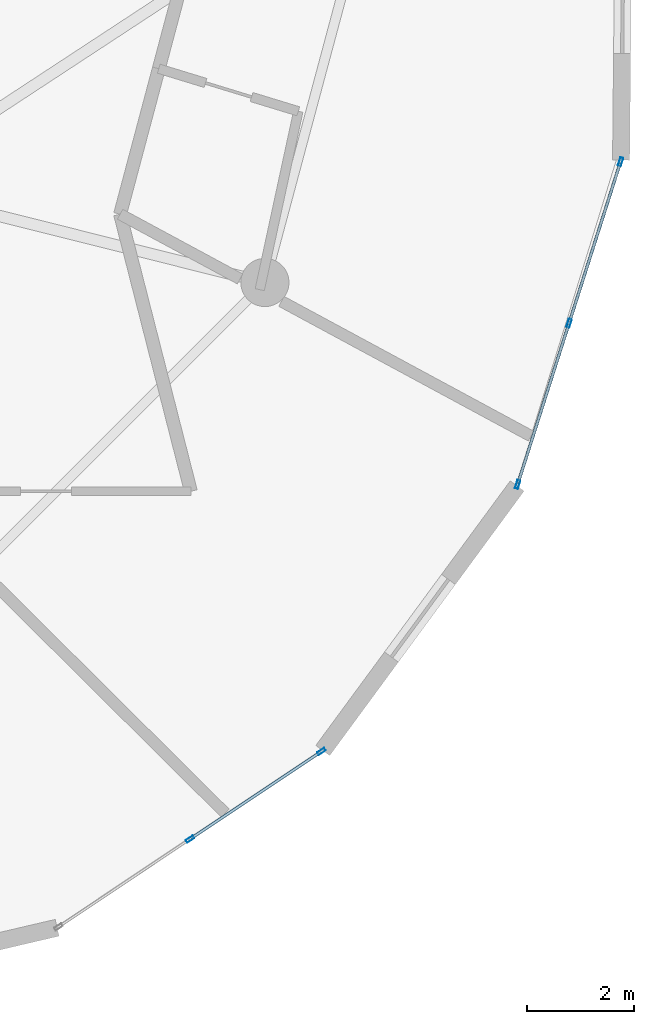
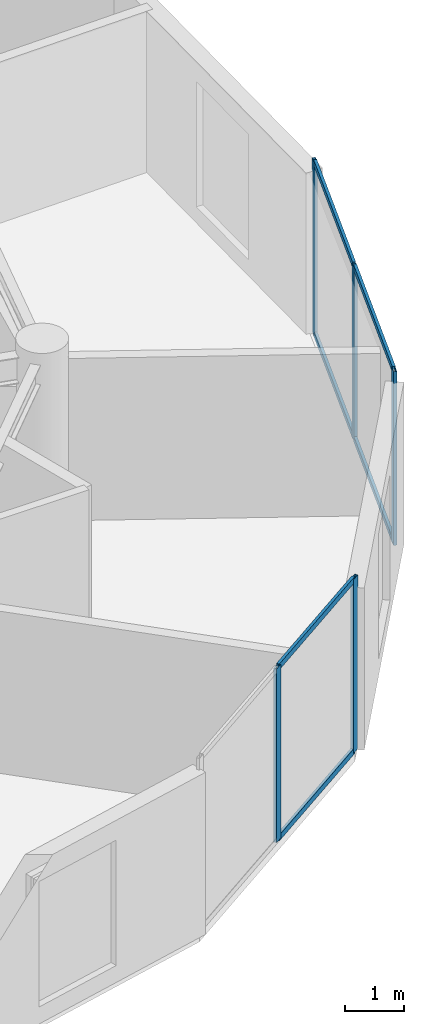
# One storey, part 8 of 20: 11 members, 2 elements without a shape of their own.
"""IFC4 building model written with IfcOpenShell, lengths in metres."""

from ifc_helpers import new_model, si_unit, direction, frame, origin, origin_2d, place, context, subcontext, project, spatial, hollow_rectangle, extrude, source, transform, mapped, material, layer, layer_set, material_profile, profile_set, type_object, element, aggregate, save


model = new_model("IFC4")

# Units and contexts
model_context = context("Model", 3, precision=1e-05, world=origin(), true_north=direction((0.0, 1.0)))
body_context = subcontext(model_context, "Body", "Model", "MODEL_VIEW")
ifc_project = project(units=[si_unit("LENGTHUNIT", "METRE"), si_unit("AREAUNIT", "SQUARE_METRE"), si_unit("VOLUMEUNIT", "CUBIC_METRE"), si_unit("PLANEANGLEUNIT", "RADIAN"), si_unit("MASSUNIT", "GRAM", prefix="KILO")], contexts=[model_context])

# Site, building, storey
site_placement = place(None, origin())
site = spatial("IfcSite", under=ifc_project, at=site_placement, CompositionType="ELEMENT")
building_placement = place(site_placement, origin())
building = spatial("IfcBuilding", under=site, at=building_placement, Name="Solvirekh Grand Hotel", CompositionType="ELEMENT")
storey_placement = place(building_placement, frame((0.0, 0.0, 209.199951171875)))
storey = spatial("IfcBuildingStorey", under=building, at=storey_placement, Name="L54", CompositionType="ELEMENT", Elevation=209.199951171875)

# Curtain wall, members
ifc_material = material(Name="Anodized Bronze Aluminium 6063-T6", Category="aluminium")
ifc_layer = layer(ifc_material, 0.159912109375)
ifc_layer_set = layer_set([ifc_layer], Name="Anodized Bronze Aluminium 6063-T6")
curtain_wall_type = type_object("IfcCurtainWallType", Name="CW_Sys4_HighZoneFlushBronzeCW", PredefinedType="NOTDEFINED", material=ifc_layer_set)
curtain_wall_1_placement = place(storey_placement, origin())
curtain_wall_1 = element("IfcCurtainWall", 1, at=curtain_wall_1_placement, inside=storey, type_object=curtain_wall_type, Name="L54 unitised bronze-glass curtain wall CW-L54-C01", PredefinedType="NOTDEFINED")
ifc_material_profile_1 = material_profile(ifc_material, hollow_rectangle(XDim=0.06005859375, YDim=0.159912109375, WallThickness=0.0048828125, at=origin_2d()), Name="ALU RHS 160X60X5")
ifc_profile_set_1 = profile_set([ifc_material_profile_1], Name="Anodized Bronze Aluminium 6063-T6")
member_type_1 = type_object("IfcMemberType", Name="CWMullion_Sys4", PredefinedType="MULLION", material=ifc_profile_set_1)
shared_shape_1 = source(origin(), body_context, "Body", "SweptSolid", [
    extrude(hollow_rectangle(XDim=0.06005859375, YDim=0.159912109375, WallThickness=0.0048828125, at=origin_2d()), origin(), (0.0, 0.0, 1.0), 3.60009765625),
])
member_1_placement = place(storey_placement, frame((12.283447265625, -18.299072265625, 0.0), z_axis=(0.0, 0.0, 1.0), x_axis=(-0.555086902533, 0.83179236029, 0.0)))
member_1 = element("IfcMember", 2, at=member_1_placement, type_object=member_type_1, Name="U04 mullion 2", PredefinedType="MULLION", context=body_context, shape_type="MappedRepresentation", body=[
    mapped(shared_shape_1, transform((0.0, 0.0, 0.0), x_axis=(1.0, 0.0, 0.0), y_axis=(0.0, 1.0, 0.0), z_axis=(0.0, 0.0, 1.0), scale=1.0)),
])
member_2_placement = place(storey_placement, frame((14.739990234375, -16.65966796875, 0.0), z_axis=(0.0, 0.0, 1.0), x_axis=(-0.555086902533, 0.83179236029, 0.0)))
member_2 = element("IfcMember", 3, at=member_2_placement, type_object=member_type_1, Name="U04 mullion 3", PredefinedType="MULLION", context=body_context, shape_type="MappedRepresentation", body=[
    mapped(shared_shape_1, transform((0.0, 0.0, 0.0), x_axis=(1.0, 0.0, 0.0), y_axis=(0.0, 1.0, 0.0), z_axis=(0.0, 0.0, 1.0), scale=1.0)),
])

curtain_wall_2_placement = place(storey_placement, origin())
curtain_wall_2 = element("IfcCurtainWall", 4, at=curtain_wall_2_placement, inside=storey, type_object=curtain_wall_type, Name="L54 unitised bronze-glass curtain wall CW-L54-C03", PredefinedType="NOTDEFINED")
member_3_placement = place(storey_placement, frame((18.405029296875, -11.67333984375, 0.0), z_axis=(0.0, 0.0, 1.0), x_axis=(-0.952689107237, 0.303946483698, 0.0)))
member_3 = element("IfcMember", 5, at=member_3_placement, type_object=member_type_1, Name="U04 mullion 1", PredefinedType="MULLION", context=body_context, shape_type="MappedRepresentation", body=[
    mapped(shared_shape_1, transform((0.0, 0.0, 0.0), x_axis=(1.0, 0.0, 0.0), y_axis=(0.0, 1.0, 0.0), z_axis=(0.0, 0.0, 1.0), scale=1.0)),
])
member_4_placement = place(storey_placement, frame((19.366943359375, -8.658447265625, 0.0), z_axis=(0.0, 0.0, 1.0), x_axis=(-0.952689107237, 0.303946483698, 0.0)))
member_4 = element("IfcMember", 6, at=member_4_placement, type_object=member_type_1, Name="U04 mullion 2", PredefinedType="MULLION", context=body_context, shape_type="MappedRepresentation", body=[
    mapped(shared_shape_1, transform((0.0, 0.0, 0.0), x_axis=(1.0, 0.0, 0.0), y_axis=(0.0, 1.0, 0.0), z_axis=(0.0, 0.0, 1.0), scale=1.0)),
])
member_5_placement = place(storey_placement, frame((20.328857421875, -5.6435546875, 0.0), z_axis=(0.0, 0.0, 1.0), x_axis=(-0.952689107237, 0.303946483698, 0.0)))
member_5 = element("IfcMember", 7, at=member_5_placement, type_object=member_type_1, Name="U04 mullion 3", PredefinedType="MULLION", context=body_context, shape_type="MappedRepresentation", body=[
    mapped(shared_shape_1, transform((0.0, 0.0, 0.0), x_axis=(1.0, 0.0, 0.0), y_axis=(0.0, 1.0, 0.0), z_axis=(0.0, 0.0, 1.0), scale=1.0)),
])

# Member
ifc_material_profile_2 = material_profile(ifc_material, hollow_rectangle(XDim=0.054931640625, YDim=0.1201171875, WallThickness=0.00390625, at=origin_2d()), Name="ALU RHS 120X55X4")
ifc_profile_set_2 = profile_set([ifc_material_profile_2], Name="Anodized Bronze Aluminium 6063-T6")
member_type_2 = type_object("IfcMemberType", Name="CWTransom_Sys4", PredefinedType="USERDEFINED", material=ifc_profile_set_2)
shared_shape_2 = source(origin(), body_context, "Body", "SweptSolid", [
    extrude(hollow_rectangle(XDim=0.054931640625, YDim=0.1201171875, WallThickness=0.00390625, at=origin_2d()), origin(), (0.0, 0.0, 1.0), 2.893310546875),
])
member_6_placement = place(storey_placement, frame((12.308349609375, -18.2822265625, 0.027587890625), z_axis=(0.831816553239, 0.555050647921, 0.0), x_axis=(-0.555050647921, 0.831816553239, 0.0)))
member_6 = element("IfcMember", 8, at=member_6_placement, type_object=member_type_2, Name="U04 transom 2.1", ObjectType="TRANSOM", PredefinedType="USERDEFINED", context=body_context, shape_type="MappedRepresentation", body=[
    mapped(shared_shape_2, transform((0.0, 0.0, 0.0), x_axis=(1.0, 0.0, 0.0), y_axis=(0.0, 1.0, 0.0), z_axis=(0.0, 0.0, 1.0), scale=1.0)),
])

member_7_placement = place(storey_placement, frame((12.308349609375, -18.2822265625, 3.572509765625), z_axis=(0.831816553239, 0.555050647921, 0.0), x_axis=(-0.555050647921, 0.831816553239, 0.0)))
member_7 = element("IfcMember", 9, at=member_7_placement, type_object=member_type_2, Name="U04 transom 2.2", ObjectType="TRANSOM", PredefinedType="USERDEFINED", context=body_context, shape_type="MappedRepresentation", body=[
    mapped(shared_shape_2, transform((0.0, 0.0, 0.0), x_axis=(1.0, 0.0, 0.0), y_axis=(0.0, 1.0, 0.0), z_axis=(0.0, 0.0, 1.0), scale=1.0)),
])

aggregate(curtain_wall_1, [member_1, member_2, member_6, member_7])

shared_shape_3 = source(origin(), body_context, "Body", "SweptSolid", [
    extrude(hollow_rectangle(XDim=0.054931640625, YDim=0.1201171875, WallThickness=0.00390625, at=origin_2d()), origin(), (0.0, 0.0, 1.0), 3.104736328125),
])
member_8_placement = place(storey_placement, frame((18.414306640625, -11.644775390625, 0.027587890625), z_axis=(0.303933878834, 0.952693128608, 0.0), x_axis=(-0.952693128608, 0.303933878834, 0.0)))
member_8 = element("IfcMember", 10, at=member_8_placement, type_object=member_type_2, Name="U04 transom 1.1", ObjectType="TRANSOM", PredefinedType="USERDEFINED", context=body_context, shape_type="MappedRepresentation", body=[
    mapped(shared_shape_3, transform((0.0, 0.0, 0.0), x_axis=(1.0, 0.0, 0.0), y_axis=(0.0, 1.0, 0.0), z_axis=(0.0, 0.0, 1.0), scale=1.0)),
])

member_9_placement = place(storey_placement, frame((18.414306640625, -11.644775390625, 3.572509765625), z_axis=(0.303933878834, 0.952693128608, 0.0), x_axis=(-0.952693128608, 0.303933878834, 0.0)))
member_9 = element("IfcMember", 11, at=member_9_placement, type_object=member_type_2, Name="U04 transom 1.2", ObjectType="TRANSOM", PredefinedType="USERDEFINED", context=body_context, shape_type="MappedRepresentation", body=[
    mapped(shared_shape_3, transform((0.0, 0.0, 0.0), x_axis=(1.0, 0.0, 0.0), y_axis=(0.0, 1.0, 0.0), z_axis=(0.0, 0.0, 1.0), scale=1.0)),
])

member_10_placement = place(storey_placement, frame((19.376220703125, -8.6298828125, 0.027587890625), z_axis=(0.303933878834, 0.952693128608, 0.0), x_axis=(-0.952693128608, 0.303933878834, 0.0)))
member_10 = element("IfcMember", 12, at=member_10_placement, type_object=member_type_2, Name="U04 transom 2.1", ObjectType="TRANSOM", PredefinedType="USERDEFINED", context=body_context, shape_type="MappedRepresentation", body=[
    mapped(shared_shape_3, transform((0.0, 0.0, 0.0), x_axis=(1.0, 0.0, 0.0), y_axis=(0.0, 1.0, 0.0), z_axis=(0.0, 0.0, 1.0), scale=1.0)),
])

member_11_placement = place(storey_placement, frame((19.376220703125, -8.6298828125, 3.572509765625), z_axis=(0.303933878834, 0.952693128608, 0.0), x_axis=(-0.952693128608, 0.303933878834, 0.0)))
member_11 = element("IfcMember", 13, at=member_11_placement, type_object=member_type_2, Name="U04 transom 2.2", ObjectType="TRANSOM", PredefinedType="USERDEFINED", context=body_context, shape_type="MappedRepresentation", body=[
    mapped(shared_shape_3, transform((0.0, 0.0, 0.0), x_axis=(1.0, 0.0, 0.0), y_axis=(0.0, 1.0, 0.0), z_axis=(0.0, 0.0, 1.0), scale=1.0)),
])

aggregate(curtain_wall_2, [member_3, member_4, member_5, member_8, member_9, member_10, member_11])

save(model, "model.ifc")
